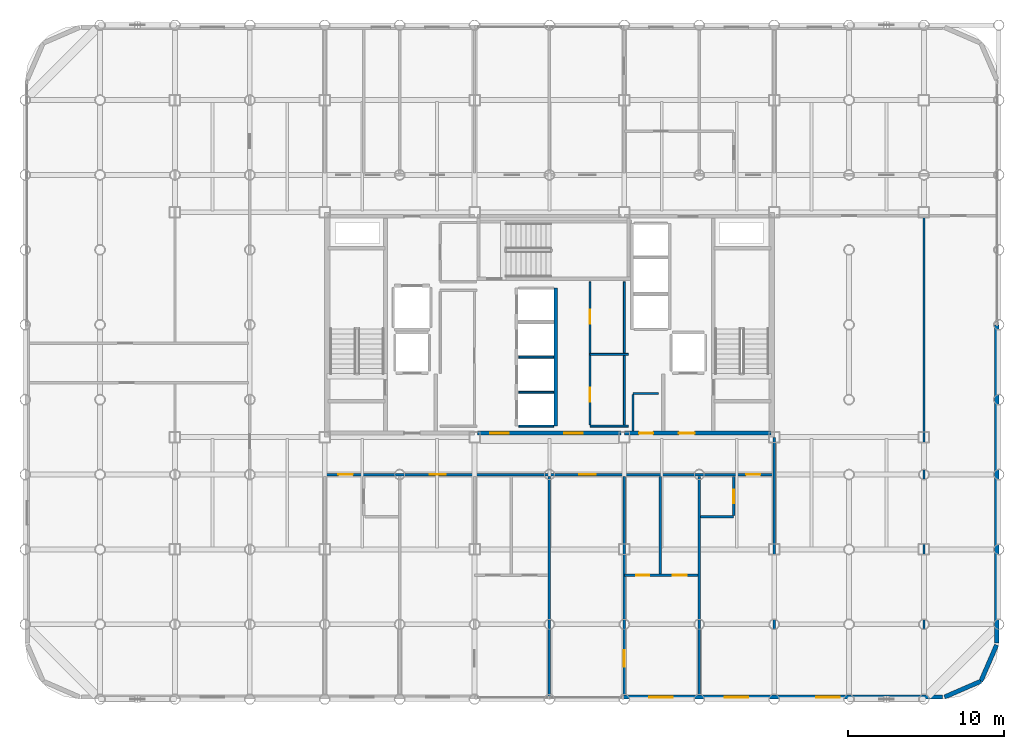
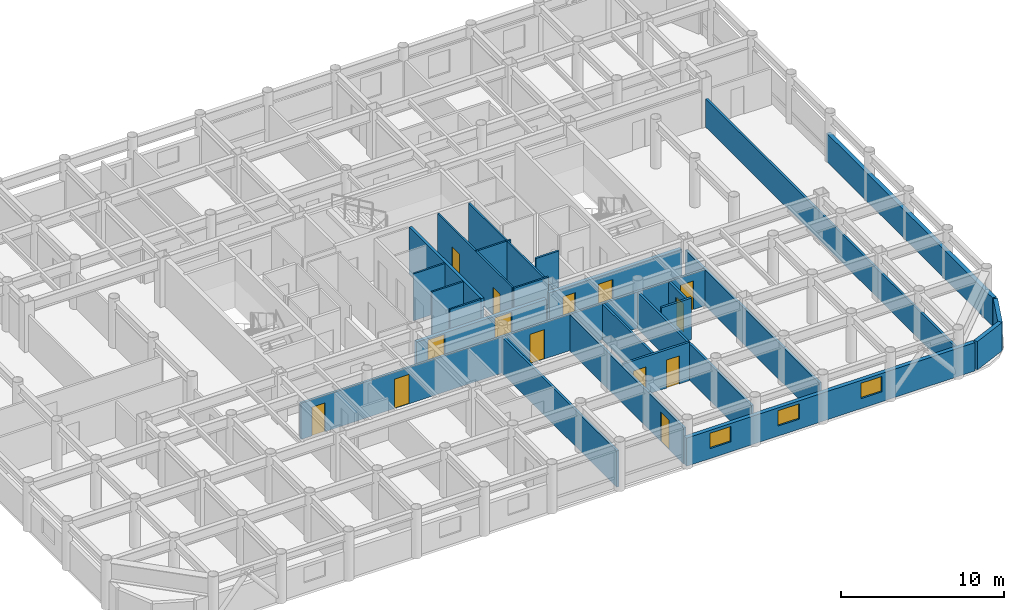
# One storey, part 17 of 20: 26 walls, 14 doors, 3 windows, 17 openings.
"""IFC4 building model written with IfcOpenShell, lengths in metres."""

from ifc_helpers import new_model, si_unit, direction, frame, frame_2d, origin, place, context, subcontext, project, spatial, rectangle, extrude, material, layer, layer_set, type_object, element, fill, save


model = new_model("IFC4")

# Units and contexts
model_context = context("Model", 3, precision=1e-05, world=origin(), true_north=direction((0.0, 1.0)))
body_context = subcontext(model_context, "Body", "Model", "MODEL_VIEW")
ifc_project = project(units=[si_unit("LENGTHUNIT", "METRE"), si_unit("AREAUNIT", "SQUARE_METRE"), si_unit("VOLUMEUNIT", "CUBIC_METRE"), si_unit("PLANEANGLEUNIT", "RADIAN"), si_unit("MASSUNIT", "GRAM", prefix="KILO")], contexts=[model_context])

# Site, building, storey
site_placement = place(None, origin())
site = spatial("IfcSite", under=ifc_project, at=site_placement, CompositionType="ELEMENT")
building_placement = place(site_placement, origin())
building = spatial("IfcBuilding", under=site, at=building_placement, Name="Kallvorn Hotel Tower", CompositionType="ELEMENT")
storey_placement = place(building_placement, frame((0.0, 0.0, 161.800048828125)))
storey = spatial("IfcBuildingStorey", under=building, at=storey_placement, Name="L40", CompositionType="ELEMENT", Elevation=161.800048828125)

# Wall, openings, doors
ifc_material_1 = material(Name="Fire-rated double-layer acoustic gypsum drywall EI 60")
ifc_layer_1 = layer(ifc_material_1, 0.159912109375)
ifc_layer_set_1 = layer_set([ifc_layer_1], Name="WL_DEMISE_160")
wall_type_1 = type_object("IfcWallType", Name="WL_DEMISE_160", PredefinedType="PARTITIONING", material=ifc_layer_set_1)
wall_1_placement = place(storey_placement, frame((4.800048828125, -16.050048828125, 0.0), z_axis=(0.0, 0.0, 1.0), x_axis=(1.0, 0.0, 0.0)))
wall_1 = element("IfcWall", 1, at=wall_1_placement, inside=storey, type_object=wall_type_1, Name="L40 Suite 4003 Executive Bedroom Partition", PredefinedType="PARTITIONING", context=body_context, shape_type="SweptSolid", body=[
    extrude(rectangle(XDim=4.719970703125, YDim=0.159912109375, at=frame_2d((2.35986328125, 0.0))), origin(), (0.0, 0.0, 1.0), 2.869873046875),
])
opening_1_placement = place(wall_1_placement, frame((0.75, 0.0, 0.0)))
opening_1 = element("IfcOpeningElement", 2, at=opening_1_placement, cuts=wall_1, Name="Opening BD-I", PredefinedType="OPENING", context=body_context, shape_type="SweptSolid", body=[
    extrude(rectangle(XDim=0.860107421875, YDim=2.10009765625, at=frame_2d((0.43017578125, 1.050048828125))), frame((0.0, 0.094970703125, 0.0), z_axis=(0.0, -1.0, 0.0), x_axis=(1.0, 0.0, 0.0)), (0.0, 0.0, 1.0), 0.18994140625),
])
opening_2_placement = place(wall_1_placement, frame((3.090087890625, 0.0, 0.0)))
opening_2 = element("IfcOpeningElement", 3, at=opening_2_placement, cuts=wall_1, Name="Opening SVD1", PredefinedType="OPENING", context=body_context, shape_type="SweptSolid", body=[
    extrude(rectangle(XDim=0.89990234375, YDim=2.10009765625, at=frame_2d((0.449951171875, 1.050048828125))), frame((0.0, 0.094970703125, 0.0), z_axis=(0.0, -1.0, 0.0), x_axis=(1.0, 0.0, 0.0)), (0.0, 0.0, 1.0), 0.18994140625),
])
ifc_material_2 = material(Name="Solid-core walnut veneer fire-rated timber door leaf", Category="wood")
door_type_1 = type_object("IfcDoorType", Name="DR_BATH_860x2100", OperationType="NOTDEFINED", PredefinedType="DOOR", material=ifc_material_2)
door_1_placement = place(opening_1_placement, origin())
door_1 = element("IfcDoor", 4, at=door_1_placement, inside=storey, type_object=door_type_1, Name="L40 Suite 4003 En-Suite Bathroom Door", OperationType="SINGLE_SWING_LEFT", OverallHeight=2.10009765625, OverallWidth=0.860107421875, PredefinedType="DOOR", context=body_context, shape_type="SweptSolid", body=[
    extrude(rectangle(XDim=0.860107421875, YDim=2.10009765625, at=frame_2d((0.43017578125, 1.050048828125))), frame((0.0, 0.02490234375, 0.0), z_axis=(0.0, -1.0, 0.0), x_axis=(1.0, 0.0, 0.0)), (0.0, 0.0, 1.0), 0.050048828125),
])
fill(opening_1, door_1)
ifc_material_3 = material(Name="Galvanised painted steel fire-rated door assembly", Category="steel")
door_type_2 = type_object("IfcDoorType", Name="DR_SERV_900x2100", OperationType="NOTDEFINED", PredefinedType="DOOR", material=ifc_material_3)
door_2_placement = place(opening_2_placement, origin())
door_2 = element("IfcDoor", 5, at=door_2_placement, inside=storey, type_object=door_type_2, Name="L40 Suite 4003 Walk-In Dressing Closet Door", OperationType="SINGLE_SWING_RIGHT", OverallHeight=2.10009765625, OverallWidth=0.89990234375, PredefinedType="DOOR", context=body_context, shape_type="SweptSolid", body=[
    extrude(rectangle(XDim=0.89990234375, YDim=2.10009765625, at=frame_2d((0.449951171875, 1.050048828125))), frame((0.0, 0.02490234375, 0.0), z_axis=(0.0, -1.0, 0.0), x_axis=(1.0, 0.0, 0.0)), (0.0, 0.0, 1.0), 0.050048828125),
])
fill(opening_2, door_2)

# Wall
wall_2_placement = place(storey_placement, frame((9.679931640625, -12.320068359375, 0.0), z_axis=(0.0, 0.0, 1.0), x_axis=(1.0, 0.0, 0.0)))
element("IfcWall", 6, at=wall_2_placement, inside=storey, type_object=wall_type_1, Name="L40 Suite 4004 Superior Twin Room Partition", PredefinedType="PARTITIONING", context=body_context, shape_type="SweptSolid", body=[
    extrude(rectangle(XDim=2.130126953125, YDim=0.159912109375, at=frame_2d((1.06494140625, 0.0))), origin(), (0.0, 0.0, 1.0), 3.119873046875),
])

# Wall, openings, doors
wall_3_placement = place(storey_placement, frame((-14.320068359375, -9.60009765625, 0.0), z_axis=(0.0, 0.0, 1.0), x_axis=(1.0, 0.0, 0.0)))
wall_3 = element("IfcWall", 7, at=wall_3_placement, inside=storey, type_object=wall_type_1, Name="L40 Suite 4001 Superior Twin Room Partition", PredefinedType="PARTITIONING", context=body_context, shape_type="SweptSolid", body=[
    extrude(rectangle(XDim=28.64013671875, YDim=0.159912109375, at=frame_2d((14.320068359375, 0.0))), origin(), (0.0, 0.0, 1.0), 2.719970703125),
])
opening_3_placement = place(wall_3_placement, frame((0.794921875, 0.0, 0.0)))
opening_3 = element("IfcOpeningElement", 8, at=opening_3_placement, cuts=wall_3, Name="Opening GD1", PredefinedType="OPENING", context=body_context, shape_type="SweptSolid", body=[
    extrude(rectangle(XDim=0.919921875, YDim=2.14990234375, at=frame_2d((0.4599609375, 1.074951171875))), frame((0.0, 0.094970703125, 0.0), z_axis=(0.0, -1.0, 0.0), x_axis=(1.0, 0.0, 0.0)), (0.0, 0.0, 1.0), 0.18994140625),
])
opening_4_placement = place(wall_3_placement, frame((6.635009765625, 0.0, 0.0)))
opening_4 = element("IfcOpeningElement", 9, at=opening_4_placement, cuts=wall_3, Name="Opening GD2", PredefinedType="OPENING", context=body_context, shape_type="SweptSolid", body=[
    extrude(rectangle(XDim=1.050048828125, YDim=2.199951171875, at=frame_2d((0.52490234375, 1.10009765625))), frame((0.0, 0.094970703125, 0.0), z_axis=(0.0, -1.0, 0.0), x_axis=(1.0, 0.0, 0.0)), (0.0, 0.0, 1.0), 0.18994140625),
])
opening_5_placement = place(wall_3_placement, frame((16.235107421875, 0.0, 0.0)))
opening_5 = element("IfcOpeningElement", 10, at=opening_5_placement, cuts=wall_3, Name="Opening GD2", PredefinedType="OPENING", context=body_context, shape_type="SweptSolid", body=[
    extrude(rectangle(XDim=1.050048828125, YDim=2.199951171875, at=frame_2d((0.52490234375, 1.10009765625))), frame((0.0, 0.094970703125, 0.0), z_axis=(0.0, -1.0, 0.0), x_axis=(1.0, 0.0, 0.0)), (0.0, 0.0, 1.0), 0.18994140625),
])
opening_6_placement = place(wall_3_placement, frame((26.925048828125, 0.0, 0.0)))
opening_6 = element("IfcOpeningElement", 11, at=opening_6_placement, cuts=wall_3, Name="Opening GD1", PredefinedType="OPENING", context=body_context, shape_type="SweptSolid", body=[
    extrude(rectangle(XDim=0.919921875, YDim=2.14990234375, at=frame_2d((0.4599609375, 1.074951171875))), frame((0.0, 0.094970703125, 0.0), z_axis=(0.0, -1.0, 0.0), x_axis=(1.0, 0.0, 0.0)), (0.0, 0.0, 1.0), 0.18994140625),
])
ifc_material_4 = material(Name="Solid-core walnut veneer fire-rated timber door leaf", Category="wood")
door_type_3 = type_object("IfcDoorType", Name="DR_GUEST_920x2150", OperationType="NOTDEFINED", PredefinedType="DOOR", material=ifc_material_4)
door_3_placement = place(opening_3_placement, origin())
door_3 = element("IfcDoor", 12, at=door_3_placement, inside=storey, type_object=door_type_3, Name="L40 Suite 4001 Superior Twin Room Door", OperationType="SINGLE_SWING_RIGHT", OverallHeight=2.14990234375, OverallWidth=0.919921875, PredefinedType="DOOR", context=body_context, shape_type="SweptSolid", body=[
    extrude(rectangle(XDim=0.919921875, YDim=2.14990234375, at=frame_2d((0.4599609375, 1.074951171875))), frame((0.0, 0.02490234375, 0.0), z_axis=(0.0, -1.0, 0.0), x_axis=(1.0, 0.0, 0.0)), (0.0, 0.0, 1.0), 0.050048828125),
])
fill(opening_3, door_3)
door_4_placement = place(opening_6_placement, origin())
door_4 = element("IfcDoor", 13, at=door_4_placement, inside=storey, type_object=door_type_3, Name="L40 Suite 4004 Superior Twin Room Door", OperationType="SINGLE_SWING_RIGHT", OverallHeight=2.14990234375, OverallWidth=0.919921875, PredefinedType="DOOR", context=body_context, shape_type="SweptSolid", body=[
    extrude(rectangle(XDim=0.919921875, YDim=2.14990234375, at=frame_2d((0.4599609375, 1.074951171875))), frame((0.0, 0.02490234375, 0.0), z_axis=(0.0, -1.0, 0.0), x_axis=(1.0, 0.0, 0.0)), (0.0, 0.0, 1.0), 0.050048828125),
])
fill(opening_6, door_4)
ifc_material_5 = material(Name="Solid-core walnut veneer fire-rated timber door leaf", Category="wood")
door_type_4 = type_object("IfcDoorType", Name="DR_SUITE_1050x2200", OperationType="NOTDEFINED", PredefinedType="DOOR", material=ifc_material_5)
door_5_placement = place(opening_4_placement, origin())
door_5 = element("IfcDoor", 14, at=door_5_placement, inside=storey, type_object=door_type_4, Name="L40 Suite 4002 Executive Living Salon Door", OperationType="SINGLE_SWING_RIGHT", OverallHeight=2.199951171875, OverallWidth=1.050048828125, PredefinedType="DOOR", context=body_context, shape_type="SweptSolid", body=[
    extrude(rectangle(XDim=1.050048828125, YDim=2.199951171875, at=frame_2d((0.52490234375, 1.10009765625))), frame((0.0, 0.02490234375, 0.0), z_axis=(0.0, -1.0, 0.0), x_axis=(1.0, 0.0, 0.0)), (0.0, 0.0, 1.0), 0.050048828125),
])
fill(opening_4, door_5)
door_6_placement = place(opening_5_placement, origin())
door_6 = element("IfcDoor", 15, at=door_6_placement, inside=storey, type_object=door_type_4, Name="L40 Suite 4003 Executive Living Salon Door", OperationType="SINGLE_SWING_RIGHT", OverallHeight=2.199951171875, OverallWidth=1.050048828125, PredefinedType="DOOR", context=body_context, shape_type="SweptSolid", body=[
    extrude(rectangle(XDim=1.050048828125, YDim=2.199951171875, at=frame_2d((0.52490234375, 1.10009765625))), frame((0.0, 0.02490234375, 0.0), z_axis=(0.0, -1.0, 0.0), x_axis=(1.0, 0.0, 0.0)), (0.0, 0.0, 1.0), 0.050048828125),
])
fill(opening_5, door_6)

# Wall
wall_4_placement = place(storey_placement, frame((0.0, -23.794921875, 0.0), z_axis=(0.0, 0.0, 1.0), x_axis=(0.0, 1.0, 0.0)))
element("IfcWall", 16, at=wall_4_placement, inside=storey, type_object=wall_type_1, Name="L40 Suite 4002 Executive Bedroom Partition", PredefinedType="PARTITIONING", context=body_context, shape_type="SweptSolid", body=[
    extrude(rectangle(XDim=14.074951171875, YDim=0.159912109375, at=frame_2d((7.03759765625, 0.0))), origin(), (0.0, 0.0, 1.0), 2.719970703125),
])

# Wall, opening, door
wall_5_placement = place(storey_placement, frame((4.800048828125, -23.7099609375, 0.0), z_axis=(0.0, 0.0, 1.0), x_axis=(0.0, 1.0, 0.0)))
wall_5 = element("IfcWall", 17, at=wall_5_placement, inside=storey, type_object=wall_type_1, Name="L40 Suite 4003 Executive Bedroom Partition", PredefinedType="PARTITIONING", context=body_context, shape_type="SweptSolid", body=[
    extrude(rectangle(XDim=13.989990234375, YDim=0.159912109375, at=frame_2d((6.9951171875, 0.0))), origin(), (0.0, 0.0, 1.0), 2.719970703125),
])
opening_7_placement = place(wall_5_placement, frame((1.802978515625, 0.0, 0.0)))
opening_7 = element("IfcOpeningElement", 18, at=opening_7_placement, cuts=wall_5, Name="Opening GD2", PredefinedType="OPENING", context=body_context, shape_type="SweptSolid", body=[
    extrude(rectangle(XDim=1.050048828125, YDim=2.199951171875, at=frame_2d((0.52490234375, 1.10009765625))), frame((0.0, 0.094970703125, 0.0), z_axis=(0.0, -1.0, 0.0), x_axis=(1.0, 0.0, 0.0)), (0.0, 0.0, 1.0), 0.18994140625),
])
door_7_placement = place(opening_7_placement, origin())
door_7 = element("IfcDoor", 19, at=door_7_placement, inside=storey, type_object=door_type_4, Name="L40 Suite 4003 Executive Bedroom Door", OperationType="SINGLE_SWING_RIGHT", OverallHeight=2.199951171875, OverallWidth=1.050048828125, PredefinedType="DOOR", context=body_context, shape_type="SweptSolid", body=[
    extrude(rectangle(XDim=1.050048828125, YDim=2.199951171875, at=frame_2d((0.52490234375, 1.10009765625))), frame((0.0, 0.02490234375, 0.0), z_axis=(0.0, -1.0, 0.0), x_axis=(1.0, 0.0, 0.0)), (0.0, 0.0, 1.0), 0.050048828125),
])
fill(opening_7, door_7)

# Wall
wall_6_placement = place(storey_placement, frame((9.60009765625, -23.7099609375, 0.0), z_axis=(0.0, 0.0, 1.0), x_axis=(0.0, 1.0, 0.0)))
element("IfcWall", 20, at=wall_6_placement, inside=storey, type_object=wall_type_1, Name="L40 Suite 4003 Executive Bedroom Partition", PredefinedType="PARTITIONING", context=body_context, shape_type="SweptSolid", body=[
    extrude(rectangle(XDim=13.989990234375, YDim=0.159912109375, at=frame_2d((6.9951171875, 0.0))), origin(), (0.0, 0.0, 1.0), 2.719970703125),
])

# Wall, opening, door
wall_7_placement = place(storey_placement, frame((11.81005859375, -12.235107421875, 0.0), z_axis=(0.0, 0.0, 1.0), x_axis=(0.0, 1.0, 0.0)))
wall_7 = element("IfcWall", 21, at=wall_7_placement, inside=storey, type_object=wall_type_1, Name="L40 Suite 4004 Superior Twin Room Partition", PredefinedType="PARTITIONING", context=body_context, shape_type="SweptSolid", body=[
    extrude(rectangle(XDim=2.51513671875, YDim=0.159912109375, at=frame_2d((1.257568359375, 0.0))), origin(), (0.0, 0.0, 1.0), 2.719970703125),
])
opening_8_placement = place(wall_7_placement, frame((0.784912109375, 0.0, 0.0)))
opening_8 = element("IfcOpeningElement", 22, at=opening_8_placement, cuts=wall_7, Name="Opening BD-I", PredefinedType="OPENING", context=body_context, shape_type="SweptSolid", body=[
    extrude(rectangle(XDim=0.860107421875, YDim=2.10009765625, at=frame_2d((0.43017578125, 1.050048828125))), frame((0.0, 0.094970703125, 0.0), z_axis=(0.0, -1.0, 0.0), x_axis=(1.0, 0.0, 0.0)), (0.0, 0.0, 1.0), 0.18994140625),
])
door_8_placement = place(opening_8_placement, origin())
door_8 = element("IfcDoor", 23, at=door_8_placement, inside=storey, type_object=door_type_1, Name="L40 Suite 4004 En-Suite Bathroom Door", OperationType="SINGLE_SWING_LEFT", OverallHeight=2.10009765625, OverallWidth=0.860107421875, PredefinedType="DOOR", context=body_context, shape_type="SweptSolid", body=[
    extrude(rectangle(XDim=0.860107421875, YDim=2.10009765625, at=frame_2d((0.43017578125, 1.050048828125))), frame((0.0, 0.02490234375, 0.0), z_axis=(0.0, -1.0, 0.0), x_axis=(1.0, 0.0, 0.0)), (0.0, 0.0, 1.0), 0.050048828125),
])
fill(opening_8, door_8)

# Walls
wall_8_placement = place(storey_placement, frame((14.39990234375, -23.7099609375, 0.0), z_axis=(0.0, 0.0, 1.0), x_axis=(0.0, 1.0, 0.0)))
element("IfcWall", 24, at=wall_8_placement, inside=storey, type_object=wall_type_1, Name="L40 Suite 4004 Superior Twin Room Partition", PredefinedType="PARTITIONING", context=body_context, shape_type="SweptSolid", body=[
    extrude(rectangle(XDim=16.469970703125, YDim=0.159912109375, at=frame_2d((8.23486328125, 0.0))), origin(), (0.0, 0.0, 1.0), 2.719970703125),
])
ifc_material_6 = material(Name="Precast basalt-clad insulated concrete wall C40/50", Category="masonry")
ifc_layer_2 = layer(ifc_material_6, 0.280029296875)
ifc_layer_set_2 = layer_set([ifc_layer_2], Name="WL_EXT_LOGGIA_280")
wall_type_2 = type_object("IfcWallType", Name="WL_EXT_LOGGIA_280", PredefinedType="SOLIDWALL", material=ifc_layer_set_2)
wall_9_placement = place(storey_placement, frame((25.32080078125, -23.85791015625, 0.0), z_axis=(0.0, 0.0, 1.0), x_axis=(0.917060872934, 0.398747232384, 0.0)))
element("IfcWall", 25, at=wall_9_placement, inside=storey, type_object=wall_type_2, Name="L40 Rounded Corner Exterior Wall SE1", PredefinedType="SOLIDWALL", context=body_context, shape_type="SweptSolid", body=[
    extrude(rectangle(XDim=2.5361328125, YDim=0.280029296875, at=frame_2d((1.26806640625, 0.0))), origin(), (0.0, 0.0, 1.0), 2.119873046875),
])
wall_10_placement = place(storey_placement, frame((27.646484375, -22.8466796875, 0.0), z_axis=(0.0, 0.0, 1.0), x_axis=(0.398792985289, 0.917040977756, 0.0)))
element("IfcWall", 26, at=wall_10_placement, inside=storey, type_object=wall_type_2, Name="L40 Rounded Corner Exterior Wall SE2", PredefinedType="SOLIDWALL", context=body_context, shape_type="SweptSolid", body=[
    extrude(rectangle(XDim=2.536376953125, YDim=0.280029296875, at=frame_2d((1.26806640625, 0.0))), origin(), (0.0, 0.0, 1.0), 2.119873046875),
])

# Wall, openings, windows
wall_11_placement = place(storey_placement, frame((4.75, -23.860107421875, 0.0), z_axis=(0.0, 0.0, 1.0), x_axis=(1.0, 0.0, 0.0)))
wall_11 = element("IfcWall", 27, at=wall_11_placement, inside=storey, type_object=wall_type_2, Name="L40 Exterior Envelope Wall EW-L40-SE", PredefinedType="SOLIDWALL", context=body_context, shape_type="SweptSolid", body=[
    extrude(rectangle(XDim=20.449951171875, YDim=0.280029296875, at=frame_2d((10.22509765625, 0.0))), origin(), (0.0, 0.0, 1.0), 2.119873046875),
])
opening_9_placement = place(wall_11_placement, frame((12.360107421875, 0.0, 0.75)))
opening_9 = element("IfcOpeningElement", 28, at=opening_9_placement, cuts=wall_11, Name="Opening W05A", PredefinedType="OPENING", context=body_context, shape_type="SweptSolid", body=[
    extrude(rectangle(XDim=1.5, YDim=1.14990234375, at=frame_2d((0.75, 0.574951171875))), frame((0.0, 0.155029296875, 0.0), z_axis=(0.0, -1.0, 0.0), x_axis=(1.0, 0.0, 0.0)), (0.0, 0.0, 1.0), 0.31005859375),
])
opening_10_placement = place(wall_11_placement, frame((1.659912109375, 0.0, 0.75)))
opening_10 = element("IfcOpeningElement", 29, at=opening_10_placement, cuts=wall_11, Name="Opening W05A", PredefinedType="OPENING", context=body_context, shape_type="SweptSolid", body=[
    extrude(rectangle(XDim=1.5, YDim=1.14990234375, at=frame_2d((0.75, 0.574951171875))), frame((0.0, 0.155029296875, 0.0), z_axis=(0.0, -1.0, 0.0), x_axis=(1.0, 0.0, 0.0)), (0.0, 0.0, 1.0), 0.31005859375),
])
opening_11_placement = place(wall_11_placement, frame((6.5, 0.0, 0.75)))
opening_11 = element("IfcOpeningElement", 30, at=opening_11_placement, cuts=wall_11, Name="Opening W05A", PredefinedType="OPENING", context=body_context, shape_type="SweptSolid", body=[
    extrude(rectangle(XDim=1.5, YDim=1.14990234375, at=frame_2d((0.75, 0.574951171875))), frame((0.0, 0.155029296875, 0.0), z_axis=(0.0, -1.0, 0.0), x_axis=(1.0, 0.0, 0.0)), (0.0, 0.0, 1.0), 0.31005859375),
])
ifc_material_7 = material(Name="Double-glazed low-e solar-control dark glass", Category="glass")
window_type = type_object("IfcWindowType", Name="WN_HTL_1500x1150", PartitioningType="SINGLE_PANEL", PredefinedType="WINDOW", material=ifc_material_7)
window_1_placement = place(opening_9_placement, origin())
window_1 = element("IfcWindow", 31, at=window_1_placement, inside=storey, type_object=window_type, Name="L40 Guestroom Exterior Window 05", OverallHeight=1.14990234375, OverallWidth=1.5, PartitioningType="SINGLE_PANEL", PredefinedType="WINDOW", context=body_context, shape_type="SweptSolid", body=[
    extrude(rectangle(XDim=1.5, YDim=1.14990234375, at=frame_2d((0.75, 0.574951171875))), frame((0.0, 0.030029296875, 0.0), z_axis=(0.0, -1.0, 0.0), x_axis=(1.0, 0.0, 0.0)), (0.0, 0.0, 1.0), 0.06005859375),
])
fill(opening_9, window_1)
window_2_placement = place(opening_10_placement, origin())
window_2 = element("IfcWindow", 32, at=window_2_placement, inside=storey, type_object=window_type, Name="L40 Guestroom Exterior Window 08", OverallHeight=1.14990234375, OverallWidth=1.5, PartitioningType="SINGLE_PANEL", PredefinedType="WINDOW", context=body_context, shape_type="SweptSolid", body=[
    extrude(rectangle(XDim=1.5, YDim=1.14990234375, at=frame_2d((0.75, 0.574951171875))), frame((0.0, 0.030029296875, 0.0), z_axis=(0.0, -1.0, 0.0), x_axis=(1.0, 0.0, 0.0)), (0.0, 0.0, 1.0), 0.06005859375),
])
fill(opening_10, window_2)
window_3_placement = place(opening_11_placement, origin())
window_3 = element("IfcWindow", 33, at=window_3_placement, inside=storey, type_object=window_type, Name="L40 Guestroom Exterior Window 09", OverallHeight=1.14990234375, OverallWidth=1.5, PartitioningType="SINGLE_PANEL", PredefinedType="WINDOW", context=body_context, shape_type="SweptSolid", body=[
    extrude(rectangle(XDim=1.5, YDim=1.14990234375, at=frame_2d((0.75, 0.574951171875))), frame((0.0, 0.030029296875, 0.0), z_axis=(0.0, -1.0, 0.0), x_axis=(1.0, 0.0, 0.0)), (0.0, 0.0, 1.0), 0.06005859375),
])
fill(opening_11, window_3)

# Walls
wall_12_placement = place(storey_placement, frame((28.659912109375, -20.39990234375, 0.0), z_axis=(0.0, 0.0, 1.0), x_axis=(0.0, 1.0, 0.0)))
element("IfcWall", 34, at=wall_12_placement, inside=storey, type_object=wall_type_2, Name="L40 Exterior Envelope Wall EW-L40-ES", PredefinedType="SOLIDWALL", context=body_context, shape_type="SweptSolid", body=[
    extrude(rectangle(XDim=20.3798828125, YDim=0.280029296875, at=frame_2d((10.18994140625, 0.0))), origin(), (0.0, 0.0, 1.0), 2.119873046875),
])
ifc_material_8 = material(Name="Concrete C40/50", Category="concrete")
ifc_layer_3 = layer(ifc_material_8, 0.199951171875)
ifc_layer_set_3 = layer_set([ifc_layer_3], Name="WL_HOIST_200")
wall_type_3 = type_object("IfcWallType", Name="WL_HOIST_200", PredefinedType="SOLIDWALL", material=ifc_layer_set_3)
wall_13_placement = place(storey_placement, frame((0.39990234375, -6.5, 0.0), z_axis=(0.0, 0.0, 1.0), x_axis=(0.0, 1.0, 0.0)))
element("IfcWall", 35, at=wall_13_placement, inside=storey, type_object=wall_type_3, Name="L40 Lift Bank B2 Rear Shaft Wall", PredefinedType="SOLIDWALL", context=body_context, shape_type="SweptSolid", body=[
    extrude(rectangle(XDim=8.85009765625, YDim=0.199951171875, at=frame_2d((4.425048828125, 0.0))), origin(), (0.0, 0.0, 1.0), 3.52001953125),
])
ifc_material_9 = material(Name="Fire-rated double-layer acoustic gypsum drywall EI 60")
ifc_layer_4 = layer(ifc_material_9, 0.1201171875)
ifc_layer_set_4 = layer_set([ifc_layer_4], Name="WL_INT_120")
wall_type_4 = type_object("IfcWallType", Name="WL_INT_120", PredefinedType="PARTITIONING", material=ifc_layer_set_4)
for number, where, z_axis, x_axis, name in (
    (36, (-1.9599609375, -6.5, 0.0), (0.0, 0.0, 1.0), (1.0, 0.0, 0.0), "L40 Lift Bank B2 South Closure Wall"),
    (37, (-1.9599609375, -4.324951171875, 0.0), (0.0, 0.0, 1.0), (1.0, 0.0, 0.0), "L40 PL-05 Hoistway Divider"),
    (38, (-1.9599609375, -2.074951171875, 0.0), (0.0, 0.0, 1.0), (1.0, 0.0, 0.0), "L40 PL-06 Hoistway Divider"),
):
    element("IfcWall", number, at=place(storey_placement, frame(where, z_axis=z_axis, x_axis=x_axis)), inside=storey, type_object=wall_type_4, Name=name, PredefinedType="PARTITIONING", context=body_context, shape_type="SweptSolid", body=[
        extrude(rectangle(XDim=2.219970703125, YDim=0.1201171875, at=frame_2d((1.10986328125, 0.0))), origin(), (0.0, 0.0, 1.0), 3.52001953125),
    ])
for number, where, z_axis, x_axis, name in (
    (39, (2.60009765625, -6.5, 0.0), (0.0, 0.0, 1.0), (1.0, 0.0, 0.0), "L40 East Core Amenities and Minibar Store Partition"),
    (40, (2.60009765625, -1.89990234375, 0.0), (0.0, 0.0, 1.0), (1.0, 0.0, 0.0), "L40 East Core Amenities and Minibar Store Partition"),
):
    element("IfcWall", number, at=place(storey_placement, frame(where, z_axis=z_axis, x_axis=x_axis)), inside=storey, type_object=wall_type_4, Name=name, PredefinedType="PARTITIONING", context=body_context, shape_type="SweptSolid", body=[
        extrude(rectangle(XDim=2.449951171875, YDim=0.1201171875, at=frame_2d((1.22509765625, 0.0))), origin(), (0.0, 0.0, 1.0), 3.52001953125),
    ])

# Wall, openings, doors
wall_14_placement = place(storey_placement, frame((2.60009765625, -6.4150390625, 0.0), z_axis=(0.0, 0.0, 1.0), x_axis=(0.0, 1.0, 0.0)))
wall_14 = element("IfcWall", 41, at=wall_14_placement, inside=storey, type_object=wall_type_4, Name="L40 East Core Amenities and Minibar Store Partition", PredefinedType="PARTITIONING", context=body_context, shape_type="SweptSolid", body=[
    extrude(rectangle(XDim=9.1650390625, YDim=0.1201171875, at=frame_2d((4.58251953125, 0.0))), origin(), (0.0, 0.0, 1.0), 3.52001953125),
])
opening_12_placement = place(wall_14_placement, frame((1.465087890625, 0.0, 0.0)))
opening_12 = element("IfcOpeningElement", 42, at=opening_12_placement, cuts=wall_14, Name="Opening SVD1", PredefinedType="OPENING", context=body_context, shape_type="SweptSolid", body=[
    extrude(rectangle(XDim=0.89990234375, YDim=2.10009765625, at=frame_2d((0.449951171875, 1.050048828125))), frame((0.0, 0.074951171875, 0.0), z_axis=(0.0, -1.0, 0.0), x_axis=(1.0, 0.0, 0.0)), (0.0, 0.0, 1.0), 0.150146484375),
])
opening_13_placement = place(wall_14_placement, frame((6.465087890625, 0.0, 0.0)))
opening_13 = element("IfcOpeningElement", 43, at=opening_13_placement, cuts=wall_14, Name="Opening SVD1", PredefinedType="OPENING", context=body_context, shape_type="SweptSolid", body=[
    extrude(rectangle(XDim=0.89990234375, YDim=2.10009765625, at=frame_2d((0.449951171875, 1.050048828125))), frame((0.0, 0.074951171875, 0.0), z_axis=(0.0, -1.0, 0.0), x_axis=(1.0, 0.0, 0.0)), (0.0, 0.0, 1.0), 0.150146484375),
])
door_9_placement = place(opening_12_placement, origin())
door_9 = element("IfcDoor", 44, at=door_9_placement, inside=storey, type_object=door_type_2, Name="L40 East Core Amenities and Minibar Store Door", OperationType="SINGLE_SWING_RIGHT", OverallHeight=2.10009765625, OverallWidth=0.89990234375, PredefinedType="DOOR", context=body_context, shape_type="SweptSolid", body=[
    extrude(rectangle(XDim=0.89990234375, YDim=2.10009765625, at=frame_2d((0.449951171875, 1.050048828125))), frame((0.0, 0.02490234375, 0.0), z_axis=(0.0, -1.0, 0.0), x_axis=(1.0, 0.0, 0.0)), (0.0, 0.0, 1.0), 0.050048828125),
])
fill(opening_12, door_9)
door_10_placement = place(opening_13_placement, origin())
door_10 = element("IfcDoor", 45, at=door_10_placement, inside=storey, type_object=door_type_2, Name="L40 East Core Cleaners and Janitor Room Door", OperationType="SINGLE_SWING_RIGHT", OverallHeight=2.10009765625, OverallWidth=0.89990234375, PredefinedType="DOOR", context=body_context, shape_type="SweptSolid", body=[
    extrude(rectangle(XDim=0.89990234375, YDim=2.10009765625, at=frame_2d((0.449951171875, 1.050048828125))), frame((0.0, 0.02490234375, 0.0), z_axis=(0.0, -1.0, 0.0), x_axis=(1.0, 0.0, 0.0)), (0.0, 0.0, 1.0), 0.050048828125),
])
fill(opening_13, door_10)

# Walls
wall_15_placement = place(storey_placement, frame((4.800048828125, -6.4150390625, 0.0), z_axis=(0.0, 0.0, 1.0), x_axis=(0.0, 1.0, 0.0)))
element("IfcWall", 46, at=wall_15_placement, inside=storey, type_object=wall_type_4, Name="L40 East Core Amenities and Minibar Store Partition", PredefinedType="PARTITIONING", context=body_context, shape_type="SweptSolid", body=[
    extrude(rectangle(XDim=9.1650390625, YDim=0.1201171875, at=frame_2d((4.58251953125, 0.0))), origin(), (0.0, 0.0, 1.0), 3.52001953125),
])
ifc_material_10 = material(Name="Fire-rated double-layer acoustic gypsum drywall EI 60")
ifc_layer_5 = layer(ifc_material_10, 0.14990234375)
ifc_layer_set_5 = layer_set([ifc_layer_5], Name="WL_PART_150")
wall_type_5 = type_object("IfcWallType", Name="WL_PART_150", PredefinedType="PARTITIONING", material=ifc_layer_set_5)
wall_16_placement = place(storey_placement, frame((7.106689453125, -15.965087890625, 0.0), z_axis=(0.0, 0.0, 1.0), x_axis=(0.0, 1.0, 0.0)))
element("IfcWall", 47, at=wall_16_placement, inside=storey, type_object=wall_type_5, Name="L40 Suite 4003 Walk-In Dressing Closet Partition", PredefinedType="PARTITIONING", context=body_context, shape_type="SweptSolid", body=[
    extrude(rectangle(XDim=6.2451171875, YDim=0.14990234375, at=frame_2d((3.12255859375, 0.0))), origin(), (0.0, 0.0, 1.0), 2.719970703125),
])
wall_17_placement = place(storey_placement, frame((24.0, -23.7099609375, 0.0), z_axis=(0.0, 0.0, 1.0), x_axis=(0.0, 1.0, 0.0)))
element("IfcWall", 48, at=wall_17_placement, inside=storey, type_object=wall_type_5, Name="L40 L40 Far-East Design Boutique Partition", PredefinedType="PARTITIONING", context=body_context, shape_type="SweptSolid", body=[
    extrude(rectangle(XDim=30.60498046875, YDim=0.14990234375, at=frame_2d((15.302490234375, 0.0))), origin(), (0.0, 0.0, 1.0), 2.119873046875),
])
ifc_material_11 = material(Name="Moisture-resistant acoustic plumbing chase wall EI 60")
ifc_layer_6 = layer(ifc_material_11, 0.139892578125)
ifc_layer_set_6 = layer_set([ifc_layer_6], Name="WL_PLUMB_140")
wall_type_6 = type_object("IfcWallType", Name="WL_PLUMB_140", PredefinedType="PLUMBINGWALL", material=ifc_layer_set_6)
wall_18_placement = place(storey_placement, frame((5.35009765625, -4.39990234375, 0.0), z_axis=(0.0, 0.0, 1.0), x_axis=(1.0, 0.0, 0.0)))
element("IfcWall", 49, at=wall_18_placement, inside=storey, type_object=wall_type_6, Name="L40 Core Staff Restroom WC Partition", PredefinedType="PLUMBINGWALL", context=body_context, shape_type="SweptSolid", body=[
    extrude(rectangle(XDim=1.64990234375, YDim=0.139892578125, at=frame_2d((0.824951171875, 0.0))), origin(), (0.0, 0.0, 1.0), 3.52001953125),
])
wall_19_placement = place(storey_placement, frame((5.35009765625, -6.800048828125, 0.0), z_axis=(0.0, 0.0, 1.0), x_axis=(0.0, 1.0, 0.0)))
element("IfcWall", 50, at=wall_19_placement, inside=storey, type_object=wall_type_6, Name="L40 Core Staff Restroom WC Partition", PredefinedType="PLUMBINGWALL", context=body_context, shape_type="SweptSolid", body=[
    extrude(rectangle(XDim=2.31494140625, YDim=0.139892578125, at=frame_2d((1.157470703125, 0.0))), origin(), (0.0, 0.0, 1.0), 2.719970703125),
])

# Wall, openings, doors
ifc_material_12 = material(Name="Concrete C40/50", Category="concrete")
ifc_layer_7 = layer(ifc_material_12, 0.25)
ifc_layer_set_7 = layer_set([ifc_layer_7], Name="WL_SHAFT_250")
wall_type_7 = type_object("IfcWallType", Name="WL_SHAFT_250", PredefinedType="SOLIDWALL", material=ifc_layer_set_7)
wall_20_placement = place(storey_placement, frame((-4.60009765625, -6.949951171875, 0.0), z_axis=(0.0, 0.0, 1.0), x_axis=(1.0, 0.0, 0.0)))
wall_20 = element("IfcWall", 51, at=wall_20_placement, inside=storey, type_object=wall_type_7, Name="L40 Core South-Central Wall", PredefinedType="SOLIDWALL", context=body_context, shape_type="SweptSolid", body=[
    extrude(rectangle(XDim=9.2001953125, YDim=0.25, at=frame_2d((4.60009765625, 0.0))), origin(), (0.0, 0.0, 1.0), 2.320068359375),
])
opening_14_placement = place(wall_20_placement, frame((0.800048828125, 0.0, 0.0)))
opening_14 = element("IfcOpeningElement", 52, at=opening_14_placement, cuts=wall_20, Name="Opening FD2", PredefinedType="OPENING", context=body_context, shape_type="SweptSolid", body=[
    extrude(rectangle(XDim=1.199951171875, YDim=2.199951171875, at=frame_2d((0.60009765625, 1.10009765625))), frame((0.0, 0.139892578125, 0.0), z_axis=(0.0, -1.0, 0.0), x_axis=(1.0, 0.0, 0.0)), (0.0, 0.0, 1.0), 0.280029296875),
])
opening_15_placement = place(wall_20_placement, frame((5.550048828125, 0.0, 0.0)))
opening_15 = element("IfcOpeningElement", 53, at=opening_15_placement, cuts=wall_20, Name="Opening FD2", PredefinedType="OPENING", context=body_context, shape_type="SweptSolid", body=[
    extrude(rectangle(XDim=1.199951171875, YDim=2.199951171875, at=frame_2d((0.60009765625, 1.10009765625))), frame((0.0, 0.139892578125, 0.0), z_axis=(0.0, -1.0, 0.0), x_axis=(1.0, 0.0, 0.0)), (0.0, 0.0, 1.0), 0.280029296875),
])
ifc_material_13 = material(Name="Galvanised painted steel fire-rated door assembly", Category="steel")
door_type_5 = type_object("IfcDoorType", Name="DR_LOBBY_1200x2200", OperationType="DOUBLE_DOOR_SINGLE_SWING", PredefinedType="DOOR", material=ifc_material_13)
door_11_placement = place(opening_14_placement, origin())
door_11 = element("IfcDoor", 54, at=door_11_placement, inside=storey, type_object=door_type_5, Name="L40 West Passenger Lift Lobby Door", OperationType="DOUBLE_DOOR_SINGLE_SWING", OverallHeight=2.199951171875, OverallWidth=1.199951171875, PredefinedType="DOOR", context=body_context, shape_type="SweptSolid", body=[
    extrude(rectangle(XDim=1.199951171875, YDim=2.199951171875, at=frame_2d((0.60009765625, 1.10009765625))), frame((0.0, 0.02490234375, 0.0), z_axis=(0.0, -1.0, 0.0), x_axis=(1.0, 0.0, 0.0)), (0.0, 0.0, 1.0), 0.050048828125),
])
fill(opening_14, door_11)
door_12_placement = place(opening_15_placement, origin())
door_12 = element("IfcDoor", 55, at=door_12_placement, inside=storey, type_object=door_type_5, Name="L40 East Passenger Lift Lobby Door", OperationType="DOUBLE_DOOR_SINGLE_SWING", OverallHeight=2.199951171875, OverallWidth=1.199951171875, PredefinedType="DOOR", context=body_context, shape_type="SweptSolid", body=[
    extrude(rectangle(XDim=1.199951171875, YDim=2.199951171875, at=frame_2d((0.60009765625, 1.10009765625))), frame((0.0, 0.02490234375, 0.0), z_axis=(0.0, -1.0, 0.0), x_axis=(1.0, 0.0, 0.0)), (0.0, 0.0, 1.0), 0.050048828125),
])
fill(opening_15, door_12)

wall_21_placement = place(storey_placement, frame((4.800048828125, -6.949951171875, 0.0), z_axis=(0.0, 0.0, 1.0), x_axis=(1.0, 0.0, 0.0)))
wall_21 = element("IfcWall", 56, at=wall_21_placement, inside=storey, type_object=wall_type_7, Name="L40 Core South-East Wall", PredefinedType="SOLIDWALL", context=body_context, shape_type="SweptSolid", body=[
    extrude(rectangle(XDim=9.39990234375, YDim=0.25, at=frame_2d((4.699951171875, 0.0))), origin(), (0.0, 0.0, 1.0), 2.719970703125),
])
opening_16_placement = place(wall_21_placement, frame((3.5, 0.0, 0.0)))
opening_16 = element("IfcOpeningElement", 57, at=opening_16_placement, cuts=wall_21, Name="Opening FD1", PredefinedType="OPENING", context=body_context, shape_type="SweptSolid", body=[
    extrude(rectangle(XDim=1.0, YDim=2.14990234375, at=frame_2d((0.5, 1.074951171875))), frame((0.0, 0.139892578125, 0.0), z_axis=(0.0, -1.0, 0.0), x_axis=(1.0, 0.0, 0.0)), (0.0, 0.0, 1.0), 0.280029296875),
])
opening_17_placement = place(wall_21_placement, frame((0.949951171875, 0.0, 0.0)))
opening_17 = element("IfcOpeningElement", 58, at=opening_17_placement, cuts=wall_21, Name="Opening SVD1", PredefinedType="OPENING", context=body_context, shape_type="SweptSolid", body=[
    extrude(rectangle(XDim=0.89990234375, YDim=2.10009765625, at=frame_2d((0.449951171875, 1.050048828125))), frame((0.0, 0.139892578125, 0.0), z_axis=(0.0, -1.0, 0.0), x_axis=(1.0, 0.0, 0.0)), (0.0, 0.0, 1.0), 0.280029296875),
])
ifc_material_14 = material(Name="Galvanised painted steel fire-rated door assembly", Category="steel")
door_type_6 = type_object("IfcDoorType", Name="DR_FFL_1000x2150", OperationType="NOTDEFINED", PredefinedType="DOOR", material=ifc_material_14)
door_13_placement = place(opening_16_placement, origin())
door_13 = element("IfcDoor", 59, at=door_13_placement, inside=storey, type_object=door_type_6, Name="L40 Firefighting Lobby East Door", OperationType="SINGLE_SWING_RIGHT", OverallHeight=2.14990234375, OverallWidth=1.0, PredefinedType="DOOR", context=body_context, shape_type="SweptSolid", body=[
    extrude(rectangle(XDim=1.0, YDim=2.14990234375, at=frame_2d((0.5, 1.074951171875))), frame((0.0, 0.02490234375, 0.0), z_axis=(0.0, -1.0, 0.0), x_axis=(1.0, 0.0, 0.0)), (0.0, 0.0, 1.0), 0.050048828125),
])
fill(opening_16, door_13)
door_14_placement = place(opening_17_placement, origin())
door_14 = element("IfcDoor", 60, at=door_14_placement, inside=storey, type_object=door_type_2, Name="L40 Core Staff Restroom WC Door", OperationType="SINGLE_SWING_RIGHT", OverallHeight=2.10009765625, OverallWidth=0.89990234375, PredefinedType="DOOR", context=body_context, shape_type="SweptSolid", body=[
    extrude(rectangle(XDim=0.89990234375, YDim=2.10009765625, at=frame_2d((0.449951171875, 1.050048828125))), frame((0.0, 0.02490234375, 0.0), z_axis=(0.0, -1.0, 0.0), x_axis=(1.0, 0.0, 0.0)), (0.0, 0.0, 1.0), 0.050048828125),
])
fill(opening_17, door_14)

save(model, "model.ifc")
